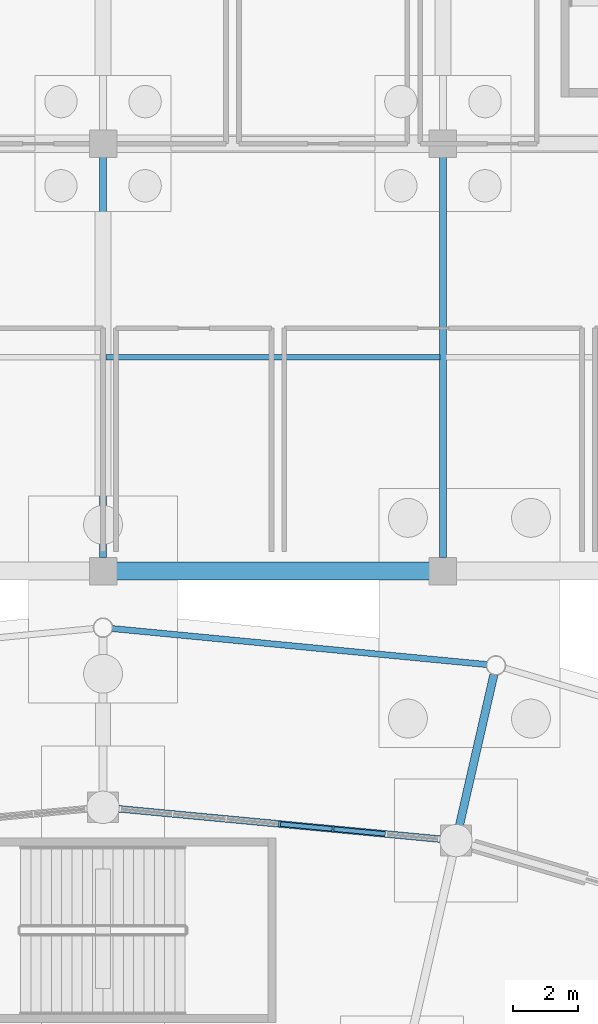
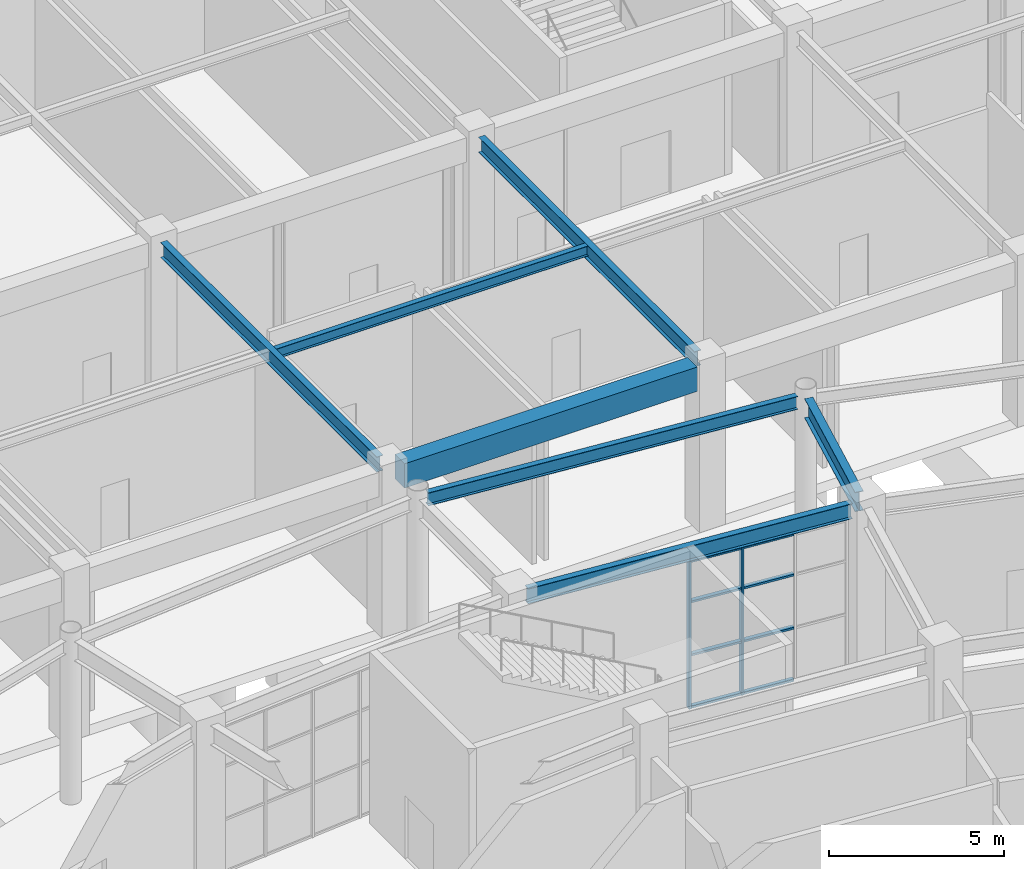
# One storey, part 49 of 121: 10 members, 7 beams, 1 element without a shape of its own.
"""IFC4 building model written with IfcOpenShell, lengths in metres."""

from ifc_helpers import new_model, si_unit, direction, frame, origin, origin_2d, place, context, subcontext, project, spatial, rectangle, i_section, extrude, material, material_profile, profile_set, type_object, element, aggregate, save


model = new_model("IFC4")

# Units and contexts
model_context = context("Model", 3, precision=1e-05, world=origin(), true_north=direction((0.0, 1.0)))
body_context = subcontext(model_context, "Body", "Model", "MODEL_VIEW")
ifc_project = project(units=[si_unit("LENGTHUNIT", "METRE"), si_unit("AREAUNIT", "SQUARE_METRE"), si_unit("VOLUMEUNIT", "CUBIC_METRE"), si_unit("PLANEANGLEUNIT", "RADIAN"), si_unit("MASSUNIT", "GRAM", prefix="KILO")], contexts=[model_context])

# Site, building, storey
site_placement = place(None, origin())
site = spatial("IfcSite", under=ifc_project, at=site_placement, CompositionType="ELEMENT")
building_placement = place(site_placement, origin())
building = spatial("IfcBuilding", under=site, at=building_placement, Name="Cuetzalor Civic Arena", CompositionType="ELEMENT")
storey_placement = place(building_placement, origin())
storey = spatial("IfcBuildingStorey", under=building, at=storey_placement, Name="L00", CompositionType="ELEMENT", Elevation=0.0)

# Beam
ifc_material_1 = material(Name="Concrete C40/50", Category="concrete")
ifc_material_profile_1 = material_profile(ifc_material_1, rectangle(XDim=0.550048828125, YDim=0.85009765625, at=origin_2d()), Name="RC 550x850")
ifc_profile_set_1 = profile_set([ifc_material_profile_1], Name="Concrete C40/50")
beam_type_1 = type_object("IfcBeamType", Name="ConcreteFrameBeam_550x850", PredefinedType="BEAM", material=ifc_profile_set_1)
beam_1_placement = place(storey_placement, frame((0.4150390625, 48.300048828125, 5.27490234375), z_axis=(1.0, 0.0, 0.0), x_axis=(0.0, 1.0, 0.0)))
element("IfcBeam", 1, at=beam_1_placement, inside=storey, type_object=beam_type_1, Name="Frame Girder V5-L00-X0226", PredefinedType="BEAM", context=body_context, shape_type="SweptSolid", body=[
    extrude(rectangle(XDim=0.550048828125, YDim=0.85009765625, at=origin_2d()), origin(), (0.0, 0.0, 1.0), 9.669921875),
])

# Curtain wall, members
ifc_material_2 = material(Name="Anodised dark bronze aluminium and low-E solar glass", Category="aluminium")
curtain_wall_type = type_object("IfcCurtainWallType", Name="UnitisedCW_9950x5150", PredefinedType="USERDEFINED", material=ifc_material_2)
curtain_wall_placement = place(storey_placement, origin())
curtain_wall = element("IfcCurtainWall", 2, at=curtain_wall_placement, inside=storey, type_object=curtain_wall_type, Name="Drum Ground Recessed Concourse Curtain Wall L00-005", ObjectType="UNITISED CURTAIN WALL", PredefinedType="USERDEFINED")
ifc_material_3 = material(Name="Anodised dark bronze aluminium", Category="aluminium")
ifc_material_profile_2 = material_profile(ifc_material_3, rectangle(XDim=0.070068359375, YDim=0.179931640625, at=origin_2d()), Name="ALU MULLION 70x180")
ifc_profile_set_2 = profile_set([ifc_material_profile_2], Name="Anodised dark bronze aluminium")
member_type_1 = type_object("IfcMemberType", Name="CurtainWallMullion_65x180", PredefinedType="MULLION", material=ifc_profile_set_2)
member_1_placement = place(storey_placement, frame((5.45166015625, 40.486083984375, 0.0), z_axis=(0.0, 0.0, 1.0), x_axis=(0.995585155665, -0.093862654023, 0.0)))
member_1 = element("IfcMember", 3, at=member_1_placement, type_object=member_type_1, Name="CW-05 mullion 4", PredefinedType="MULLION", context=body_context, shape_type="SweptSolid", body=[
    extrude(rectangle(XDim=0.070068359375, YDim=0.179931640625, at=origin_2d()), origin(), (0.0, 0.0, 1.0), 5.156982421875),
])
member_2_placement = place(storey_placement, frame((7.103271484375, 40.330322265625, 0.0), z_axis=(0.0, 0.0, 1.0), x_axis=(0.995585155665, -0.093862654023, 0.0)))
member_2 = element("IfcMember", 4, at=member_2_placement, type_object=member_type_1, Name="CW-05 mullion 5", PredefinedType="MULLION", context=body_context, shape_type="SweptSolid", body=[
    extrude(rectangle(XDim=0.070068359375, YDim=0.179931640625, at=origin_2d()), origin(), (0.0, 0.0, 1.0), 5.156982421875),
])
ifc_material_4 = material(Name="Anodised dark bronze aluminium", Category="aluminium")
ifc_material_profile_3 = material_profile(ifc_material_4, rectangle(XDim=0.139892578125, YDim=0.070068359375, at=origin_2d()), Name="ALU TRANSOM 70x140")
ifc_profile_set_3 = profile_set([ifc_material_profile_3], Name="Anodised dark bronze aluminium")
member_type_2 = type_object("IfcMemberType", Name="CurtainWallTransom_65x140", PredefinedType="USERDEFINED", material=ifc_profile_set_3)
member_3_placement = place(storey_placement, frame((5.486572265625, 40.482666015625, 0.034912109375), z_axis=(0.995582755392, -0.093888109823, 0.0), x_axis=(0.093888109823, 0.995582755392, 0.0)))
member_3 = element("IfcMember", 5, at=member_3_placement, type_object=member_type_2, Name="CW-05 transom 4.1", ObjectType="TRANSOM", PredefinedType="USERDEFINED", context=body_context, shape_type="SweptSolid", body=[
    extrude(rectangle(XDim=0.139892578125, YDim=0.070068359375, at=origin_2d()), origin(), (0.0, 0.0, 1.0), 1.5888671875),
])
member_4_placement = place(storey_placement, frame((5.486572265625, 40.482666015625, 1.85693359375), z_axis=(0.995582755392, -0.093888109823, 0.0), x_axis=(0.093888109823, 0.995582755392, 0.0)))
member_4 = element("IfcMember", 6, at=member_4_placement, type_object=member_type_2, Name="CW-05 transom 4.2", ObjectType="TRANSOM", PredefinedType="USERDEFINED", context=body_context, shape_type="SweptSolid", body=[
    extrude(rectangle(XDim=0.139892578125, YDim=0.070068359375, at=origin_2d()), origin(), (0.0, 0.0, 1.0), 1.5888671875),
])
member_5_placement = place(storey_placement, frame((5.486572265625, 40.482666015625, 3.712890625), z_axis=(0.995582755392, -0.093888109823, 0.0), x_axis=(0.093888109823, 0.995582755392, 0.0)))
member_5 = element("IfcMember", 7, at=member_5_placement, type_object=member_type_2, Name="CW-05 transom 4.3", ObjectType="TRANSOM", PredefinedType="USERDEFINED", context=body_context, shape_type="SweptSolid", body=[
    extrude(rectangle(XDim=0.139892578125, YDim=0.070068359375, at=origin_2d()), origin(), (0.0, 0.0, 1.0), 1.5888671875),
])
member_6_placement = place(storey_placement, frame((5.486572265625, 40.482666015625, 5.1220703125), z_axis=(0.995582755392, -0.093888109823, 0.0), x_axis=(0.093888109823, 0.995582755392, 0.0)))
member_6 = element("IfcMember", 8, at=member_6_placement, type_object=member_type_2, Name="CW-05 transom 4.4", ObjectType="TRANSOM", PredefinedType="USERDEFINED", context=body_context, shape_type="SweptSolid", body=[
    extrude(rectangle(XDim=0.139892578125, YDim=0.070068359375, at=origin_2d()), origin(), (0.0, 0.0, 1.0), 1.5888671875),
])
member_7_placement = place(storey_placement, frame((7.13818359375, 40.326904296875, 0.034912109375), z_axis=(0.995597107351, -0.093735798037, 0.0), x_axis=(0.093735798037, 0.995597107351, 0.0)))
member_7 = element("IfcMember", 9, at=member_7_placement, type_object=member_type_2, Name="CW-05 transom 5.1", ObjectType="TRANSOM", PredefinedType="USERDEFINED", context=body_context, shape_type="SweptSolid", body=[
    extrude(rectangle(XDim=0.139892578125, YDim=0.070068359375, at=origin_2d()), origin(), (0.0, 0.0, 1.0), 1.5888671875),
])
member_8_placement = place(storey_placement, frame((7.13818359375, 40.326904296875, 1.85693359375), z_axis=(0.995597107351, -0.093735798037, 0.0), x_axis=(0.093735798037, 0.995597107351, 0.0)))
member_8 = element("IfcMember", 10, at=member_8_placement, type_object=member_type_2, Name="CW-05 transom 5.2", ObjectType="TRANSOM", PredefinedType="USERDEFINED", context=body_context, shape_type="SweptSolid", body=[
    extrude(rectangle(XDim=0.139892578125, YDim=0.070068359375, at=origin_2d()), origin(), (0.0, 0.0, 1.0), 1.5888671875),
])
member_9_placement = place(storey_placement, frame((7.13818359375, 40.326904296875, 3.712890625), z_axis=(0.995597107351, -0.093735798037, 0.0), x_axis=(0.093735798037, 0.995597107351, 0.0)))
member_9 = element("IfcMember", 11, at=member_9_placement, type_object=member_type_2, Name="CW-05 transom 5.3", ObjectType="TRANSOM", PredefinedType="USERDEFINED", context=body_context, shape_type="SweptSolid", body=[
    extrude(rectangle(XDim=0.139892578125, YDim=0.070068359375, at=origin_2d()), origin(), (0.0, 0.0, 1.0), 1.5888671875),
])
member_10_placement = place(storey_placement, frame((7.13818359375, 40.326904296875, 5.1220703125), z_axis=(0.995597107351, -0.093735798037, 0.0), x_axis=(0.093735798037, 0.995597107351, 0.0)))
member_10 = element("IfcMember", 12, at=member_10_placement, type_object=member_type_2, Name="CW-05 transom 5.4", ObjectType="TRANSOM", PredefinedType="USERDEFINED", context=body_context, shape_type="SweptSolid", body=[
    extrude(rectangle(XDim=0.139892578125, YDim=0.070068359375, at=origin_2d()), origin(), (0.0, 0.0, 1.0), 1.5888671875),
])
aggregate(curtain_wall, [member_1, member_2, member_3, member_4, member_5, member_6, member_7, member_8, member_9, member_10])

# Beams
ifc_material_5 = material(Name="Steel S355", Category="steel")
ifc_material_profile_4 = material_profile(ifc_material_5, i_section(OverallWidth=0.18994140625, OverallDepth=0.45703125, WebThickness=0.009033203125, FlangeThickness=0.014404296875, at=origin_2d()), Name="W460x74")
ifc_profile_set_4 = profile_set([ifc_material_profile_4], Name="Steel S355")
beam_type_2 = type_object("IfcBeamType", Name="FacadeSpandrelBeam_W460", PredefinedType="SPANDREL", material=ifc_profile_set_4)
beam_2_placement = place(storey_placement, frame((11.849853515625, 45.41064453125, 5.471435546875), z_axis=(-0.995409568272, 0.095706799095, 0.0), x_axis=(-0.095706799095, -0.995409568272, 0.0)))
element("IfcBeam", 13, at=beam_2_placement, inside=storey, type_object=beam_type_2, Name="Drum Perimeter Spandrel L00-S07", PredefinedType="SPANDREL", context=body_context, shape_type="SweptSolid", body=[
    extrude(i_section(OverallWidth=0.18994140625, OverallDepth=0.45703125, WebThickness=0.009033203125, FlangeThickness=0.014404296875, at=origin_2d()), origin(), (0.0, 0.0, 1.0), 11.6142578125),
])
ifc_material_6 = material(Name="Steel S355", Category="steel")
ifc_material_profile_5 = material_profile(ifc_material_6, i_section(OverallWidth=0.1708984375, OverallDepth=0.35498046875, WebThickness=0.007080078125, FlangeThickness=0.01171875, at=origin_2d()), Name="W360x51")
ifc_profile_set_5 = profile_set([ifc_material_profile_5], Name="Steel S355")
beam_type_3 = type_object("IfcBeamType", Name="SecondaryFloorJoist_W360", PredefinedType="JOIST", material=ifc_profile_set_5)
beam_3_placement = place(storey_placement, frame((0.096435546875, 54.89990234375, 5.5224609375), z_axis=(1.0, 0.0, 0.0), x_axis=(0.0, 1.0, 0.0)))
element("IfcBeam", 14, at=beam_3_placement, inside=storey, type_object=beam_type_3, Name="Secondary Floor Joist V5-L00-0077", PredefinedType="JOIST", context=body_context, shape_type="SweptSolid", body=[
    extrude(i_section(OverallWidth=0.1708984375, OverallDepth=0.35498046875, WebThickness=0.007080078125, FlangeThickness=0.01171875, at=origin_2d()), origin(), (0.0, 0.0, 1.0), 10.30712890625),
])
ifc_material_7 = material(Name="Steel S355", Category="steel")
ifc_material_profile_6 = material_profile(ifc_material_7, i_section(OverallWidth=0.208984375, OverallDepth=0.532958984375, WebThickness=0.01025390625, FlangeThickness=0.015625, at=origin_2d()), Name="W530x92")
ifc_profile_set_6 = profile_set([ifc_material_profile_6], Name="Steel S355")
beam_type_4 = type_object("IfcBeamType", Name="SteelCollarGirder_W530", PredefinedType="BEAM", material=ifc_profile_set_6)
beam_4_placement = place(storey_placement, frame((10.53515625, 40.006591796875, 5.43359375), z_axis=(-0.995583045118, 0.093885037538, 0.0), x_axis=(-0.093885037538, -0.995583045118, 0.0)))
element("IfcBeam", 15, at=beam_4_placement, inside=storey, type_object=beam_type_4, Name="Drum Concourse Ring Girder L00-S07", PredefinedType="BEAM", context=body_context, shape_type="SweptSolid", body=[
    extrude(i_section(OverallWidth=0.208984375, OverallDepth=0.532958984375, WebThickness=0.01025390625, FlangeThickness=0.015625, at=origin_2d()), origin(), (0.0, 0.0, 1.0), 10.2119140625),
])
for number, where, z_axis, x_axis, name in (
    (16, (0.0, 48.715087890625, 5.43359375), (0.0, 1.0, 0.0), (-1.0, 0.0, 0.0), "Frame Girder V5-L00-Y0269"),
    (17, (10.5, 48.715087890625, 5.43359375), (0.0, 1.0, 0.0), (-1.0, 0.0, 0.0), "Frame Girder V5-L00-Y0271"),
):
    element("IfcBeam", number, at=place(storey_placement, frame(where, z_axis=z_axis, x_axis=x_axis)), inside=storey, type_object=beam_type_4, Name=name, PredefinedType="BEAM", context=body_context, shape_type="SweptSolid", body=[
        extrude(i_section(OverallWidth=0.208984375, OverallDepth=0.532958984375, WebThickness=0.01025390625, FlangeThickness=0.015625, at=origin_2d()), origin(), (0.0, 0.0, 1.0), 12.369873046875),
    ])
ifc_material_8 = material(Name="Steel S355", Category="steel")
ifc_material_profile_7 = material_profile(ifc_material_8, i_section(OverallWidth=0.2529296875, OverallDepth=0.677978515625, WebThickness=0.01171875, FlangeThickness=0.016357421875, at=origin_2d()), Name="W690x125")
ifc_profile_set_7 = profile_set([ifc_material_profile_7], Name="Steel S355")
beam_type_5 = type_object("IfcBeamType", Name="SteelPrimaryGirder_W690", PredefinedType="BEAM", material=ifc_profile_set_7)
beam_5_placement = place(storey_placement, frame((10.983642578125, 40.322998046875, 5.361083984375), z_axis=(0.222519036633, 0.974928345231, 0.0), x_axis=(-0.974928345231, 0.222519036633, 0.0)))
element("IfcBeam", 18, at=beam_5_placement, inside=storey, type_object=beam_type_5, Name="Drum Radial Girder L00-R07", PredefinedType="BEAM", context=body_context, shape_type="SweptSolid", body=[
    extrude(i_section(OverallWidth=0.2529296875, OverallDepth=0.677978515625, WebThickness=0.01171875, FlangeThickness=0.016357421875, at=origin_2d()), origin(), (0.0, 0.0, 1.0), 4.89990234375),
])

save(model, "model.ifc")
